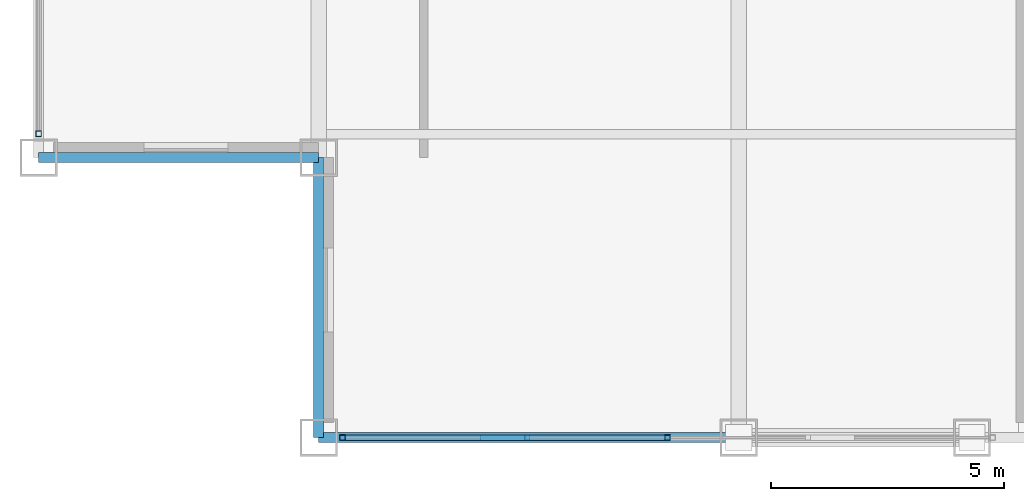
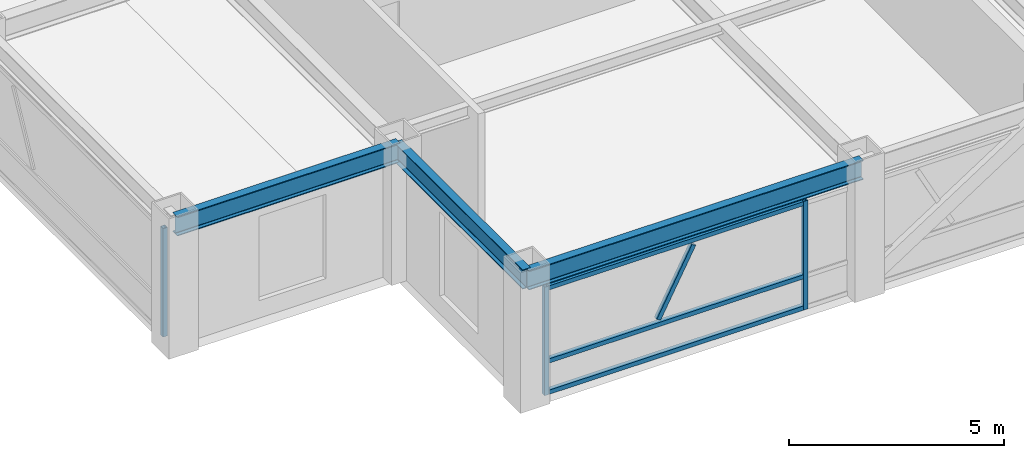
# One storey, part 2 of 29: 7 members, 3 beams, 2 elements without a shape of their own.
"""IFC4 building model written with IfcOpenShell, lengths in metres."""

import ifcopenshell
import ifcopenshell.guid

model = None  # the IFC model being written
_history = None  # IfcOwnerHistory: only IFC2X3 demands one
_inside = {}  # id of a spatial element -> (the spatial element, [elements in it])
_under = {}  # id of a project, library or spatial element -> (it, [spatial elements below it])
_declared = {}  # id of a project -> (the project, [libraries it declares])
_typed = {}  # id of a type object -> (the type object, [elements of that type])
_made_of = {}  # id of a material, layer set ... -> (it, [elements and type objects made of it])


def new_model(schema):
    """Start an empty IFC model of exactly this schema.

    Asked for "IFC4X3", IfcOpenShell would pick the latest addendum, in which some entities
    have other attributes; the version numbers below select the first issue.
    IFC2X3 requires an IfcOwnerHistory on every rooted entity: one is made here for all.
    """
    global model, _history
    if schema == "IFC4X3":
        model = ifcopenshell.file(schema_version=(4, 3, 0, 0))
    else:
        model = ifcopenshell.file(schema=schema)
    _inside.clear()
    _under.clear()
    _declared.clear()
    _typed.clear()
    _made_of.clear()
    _history = None
    if model.schema == "IFC2X3":
        org = make("IfcOrganization", Name="unknown")
        user = make(
            "IfcPersonAndOrganization",
            ThePerson=make("IfcPerson", FamilyName="unknown"),
            TheOrganization=org,
        )
        app = make(
            "IfcApplication",
            ApplicationDeveloper=org,
            Version="unknown",
            ApplicationFullName="unknown",
            ApplicationIdentifier="unknown",
        )
        _history = make(
            "IfcOwnerHistory",
            OwningUser=user,
            OwningApplication=app,
            ChangeAction="ADDED",
            CreationDate=0,
        )
    return model


def make(cls, **values):
    """One entity of the class cls with the attributes given. An attribute that is None is left unset."""
    return model.create_entity(
        cls, **{name: value for name, value in values.items() if value is not None}
    )


def rooted(cls, **values):
    """An entity with a GlobalId (a new one), such as an element, a storey or a relation."""
    return make(cls, GlobalId=ifcopenshell.guid.new(), OwnerHistory=_history, **values)


def si_unit(unit_type, name, prefix=None):
    """IfcSIUnit, for example si_unit("LENGTHUNIT", "METRE", prefix="MILLI")."""
    return make("IfcSIUnit", UnitType=unit_type, Prefix=prefix, Name=name)


def assignment(units):
    """IfcUnitAssignment: the units of a project."""
    return None if units is None else make("IfcUnitAssignment", Units=units)


def point(xyz):
    """IfcCartesianPoint."""
    return None if xyz is None else make("IfcCartesianPoint", Coordinates=xyz)


def direction(xyz):
    """IfcDirection."""
    return None if xyz is None else make("IfcDirection", DirectionRatios=xyz)


def frame(location, z_axis=None, x_axis=None):
    """IfcAxis2Placement3D, a coordinate frame: its origin and axes. An axis left out is left unset."""
    return make(
        "IfcAxis2Placement3D",
        Location=point(location),
        Axis=direction(z_axis),
        RefDirection=direction(x_axis),
    )


def frame_2d(location, x_axis=None):
    """IfcAxis2Placement2D, a coordinate frame in the plane: its origin and x axis."""
    return make(
        "IfcAxis2Placement2D", Location=point(location), RefDirection=direction(x_axis)
    )


def origin():
    """The frame at (0, 0, 0) with its axes left unset."""
    return frame((0.0, 0.0, 0.0))


def origin_2d():
    """The frame at (0, 0) in the plane with its x axis left unset."""
    return frame_2d((0.0, 0.0))


def place(relative_to, where):
    """IfcLocalPlacement: puts the frame where relative to a parent placement (None: the world)."""
    return make(
        "IfcLocalPlacement", PlacementRelTo=relative_to, RelativePlacement=where
    )


def context(
    kind, dimensions, precision=None, world=None, true_north=None, identifier=None
):
    """IfcGeometricRepresentationContext, for example the 3D "Model" context."""
    return make(
        "IfcGeometricRepresentationContext",
        ContextIdentifier=identifier,
        ContextType=kind,
        CoordinateSpaceDimension=dimensions,
        Precision=precision,
        WorldCoordinateSystem=world,
        TrueNorth=true_north,
    )


def subcontext(parent, identifier, kind, view, scale=None):
    """IfcGeometricRepresentationSubContext, for example "Body" below "Model"."""
    return make(
        "IfcGeometricRepresentationSubContext",
        ContextIdentifier=identifier,
        ContextType=kind,
        ParentContext=parent,
        TargetScale=scale,
        TargetView=view,
    )


def project(units=None, contexts=None):
    """IfcProject with its units and contexts."""
    return rooted(
        "IfcProject",
        Name="project",
        RepresentationContexts=contexts,
        UnitsInContext=assignment(units),
    )


def spatial(cls, under=None, at=None, **own):
    """A site, building, storey or space (cls), placed at a placement, below another one or the project."""
    s = rooted(cls, ObjectPlacement=at, **own)
    if under is not None:
        _under.setdefault(under.id(), (under, []))[1].append(s)
    return s


def profile(cls, at=None, kind="AREA", **sizes):
    """A parametric profile (cls). Its sizes go by their IFC names, for example OverallWidth=200.0."""
    return make(cls, ProfileType=kind, Position=at, **sizes)


def hollow_rectangle(**sizes):
    """IfcRectangleHollowProfileDef."""
    return profile("IfcRectangleHollowProfileDef", **sizes)


def i_section(**sizes):
    """IfcIShapeProfileDef."""
    return profile("IfcIShapeProfileDef", **sizes)


def extrude(swept, where, along, depth):
    """IfcExtrudedAreaSolid: the profile swept, set in the frame where, extruded along a direction by depth."""
    return make(
        "IfcExtrudedAreaSolid",
        SweptArea=swept,
        Position=where,
        ExtrudedDirection=direction(along),
        Depth=depth,
    )


def shape(context_of_items, identifier, shape_type, items):
    """IfcShapeRepresentation: the items that make up one representation, for example the "Body"."""
    return make(
        "IfcShapeRepresentation",
        ContextOfItems=context_of_items,
        RepresentationIdentifier=identifier,
        RepresentationType=shape_type,
        Items=items,
    )


def source(mapping_origin, context_of_items, identifier, shape_type, items):
    """IfcRepresentationMap: a shape defined once, which mapped items show again and again."""
    return make(
        "IfcRepresentationMap",
        MappingOrigin=mapping_origin,
        MappedRepresentation=shape(context_of_items, identifier, shape_type, items),
    )


def transform(
    local_origin,
    x_axis=None,
    y_axis=None,
    z_axis=None,
    scale=None,
    scale2=None,
    scale3=None,
    uniform=True,
):
    """IfcCartesianTransformationOperator3D, or its non-uniform kind. x_axis, y_axis, z_axis: its Axis1, 2, 3."""
    if uniform:
        return make(
            "IfcCartesianTransformationOperator3D",
            Axis1=direction(x_axis),
            Axis2=direction(y_axis),
            LocalOrigin=point(local_origin),
            Scale=scale,
            Axis3=direction(z_axis),
        )
    return make(
        "IfcCartesianTransformationOperator3DnonUniform",
        Axis1=direction(x_axis),
        Axis2=direction(y_axis),
        LocalOrigin=point(local_origin),
        Scale=scale,
        Axis3=direction(z_axis),
        Scale2=scale2,
        Scale3=scale3,
    )


def mapped(mapping_source, mapping_target):
    """IfcMappedItem: shows the shape of a source again, moved by a transform."""
    return make(
        "IfcMappedItem", MappingSource=mapping_source, MappingTarget=mapping_target
    )


def material(Name=None, Category=None):
    """IfcMaterial."""
    return make("IfcMaterial", Name=Name, Category=Category)


def material_profile(
    of_material, cross_section, Name=None, Category=None, Priority=None
):
    """IfcMaterialProfile: a cross section and its material."""
    return make(
        "IfcMaterialProfile",
        Name=Name,
        Material=of_material,
        Profile=cross_section,
        Priority=Priority,
        Category=Category,
    )


def profile_set(profiles, Name=None, composite=None):
    """IfcMaterialProfileSet."""
    return make(
        "IfcMaterialProfileSet",
        Name=Name,
        MaterialProfiles=profiles,
        CompositeProfile=composite,
    )


def made_of(thing, what):
    """Note that an element or type object is made of a material, layer set ...; save() writes the relation."""
    if what is not None:
        _made_of.setdefault(what.id(), (what, []))[1].append(thing)
    return thing


def type_object(cls, material=None, **own):
    """A type object (cls), such as IfcWallType, which elements share."""
    return made_of(rooted(cls, **own), material)


def element(
    cls,
    number,
    at=None,
    inside=None,
    cuts=None,
    type_object=None,
    material=None,
    context=None,
    identifier="Body",
    shape_type=None,
    held_by="IfcProductDefinitionShape",
    body=None,
    shapes=None,
    **own,
):
    """One element of the class cls, such as IfcWall. Its Tag is "e" and its number.

    at: its placement. inside: the storey or other place that contains it. cuts: it is an
    opening in that element (IfcRelVoidsElement). A single representation is given by context,
    identifier, shape_type and body (its items); several are given by shapes. held_by: the class
    of the entity that holds the representations. save() writes the other relations.
    """
    e = rooted(cls, Tag="e%d" % number, ObjectPlacement=at, **own)
    if body is not None:
        shapes = [shape(context, identifier, shape_type, body)]
    if shapes is not None:
        e.Representation = make(held_by, Representations=shapes)
    if inside is not None:
        _inside.setdefault(inside.id(), (inside, []))[1].append(e)
    if cuts is not None:
        rooted(
            "IfcRelVoidsElement", RelatingBuildingElement=cuts, RelatedOpeningElement=e
        )
    if type_object is not None:
        _typed.setdefault(type_object.id(), (type_object, []))[1].append(e)
    return made_of(e, material)


def aggregate(whole, parts):
    """IfcRelAggregates: a whole, such as a stair, and the parts it consists of."""
    return rooted("IfcRelAggregates", RelatingObject=whole, RelatedObjects=parts)


def save(model, path):
    """Write the relations noted so far, then the file.

    IfcRelAggregates (storeys below a building ...), IfcRelContainedInSpatialStructure (elements
    in a storey), IfcRelDefinesByType, IfcRelAssociatesMaterial and IfcRelDeclares: one each for
    every whole, place, type object, material and project.
    """
    for whole, parts in _under.values():
        aggregate(whole, parts)
    for where, things in _inside.values():
        rooted(
            "IfcRelContainedInSpatialStructure",
            RelatedElements=things,
            RelatingStructure=where,
        )
    for kind, things in _typed.values():
        rooted("IfcRelDefinesByType", RelatedObjects=things, RelatingType=kind)
    for what, things in _made_of.values():
        rooted("IfcRelAssociatesMaterial", RelatedObjects=things, RelatingMaterial=what)
    for by, libraries in _declared.values():
        rooted("IfcRelDeclares", RelatingContext=by, RelatedDefinitions=libraries)
    model.write(path)


model = new_model("IFC4")

# Units and contexts
model_context = context("Model", 3, precision=1e-05, world=origin(), true_north=direction((0.0, 1.0)))
body_context = subcontext(model_context, "Body", "Model", "MODEL_VIEW")
ifc_project = project(units=[si_unit("LENGTHUNIT", "METRE"), si_unit("AREAUNIT", "SQUARE_METRE"), si_unit("VOLUMEUNIT", "CUBIC_METRE"), si_unit("PLANEANGLEUNIT", "RADIAN"), si_unit("MASSUNIT", "GRAM", prefix="KILO")], contexts=[model_context])

# Site, building, storey
site_placement = place(None, origin())
site = spatial("IfcSite", under=ifc_project, at=site_placement, CompositionType="ELEMENT")
building_placement = place(site_placement, origin())
building = spatial("IfcBuilding", under=site, at=building_placement, Name="Khorayat Bourse Tower", CompositionType="ELEMENT")
storey_placement = place(building_placement, frame((0.0, 0.0, 346.300048828125)))
storey = spatial("IfcBuildingStorey", under=building, at=storey_placement, Name="L82", CompositionType="ELEMENT", Elevation=346.300048828125)

# Beams
ifc_material_1 = material(Name="Steel ASTM A992 Grade 50", Category="steel")
ifc_material_profile_1 = material_profile(ifc_material_1, i_section(OverallWidth=0.214111328125, OverallDepth=0.549072265625, WebThickness=0.0146484375, FlangeThickness=0.023681640625, FilletRadius=0.013916015625, at=origin_2d()), Name="W530X138")
ifc_profile_set_1 = profile_set([ifc_material_profile_1], Name="Steel ASTM A992 Grade 50")
beam_type = type_object("IfcBeamType", Name="BM-SPAN-530", PredefinedType="SPANDREL", material=ifc_profile_set_1)
shared_shape_1 = source(origin(), body_context, "Body", "SweptSolid", [
    extrude(i_section(OverallWidth=0.214111328125, OverallDepth=0.549072265625, WebThickness=0.0146484375, FlangeThickness=0.023681640625, FilletRadius=0.013916015625, at=origin_2d()), origin(), (0.0, 0.0, 1.0), 9.0),
])
beam_placement = place(storey_placement, frame((-20.0, -26.0, 3.46533203125), z_axis=(1.0, 0.0, 0.0), x_axis=(0.0, 1.0, 0.0)))
element("IfcBeam", 1, at=beam_placement, inside=storey, type_object=beam_type, Name="L82 BM-SPAN-530 BM-L82-SPN-021", PredefinedType="SPANDREL", context=body_context, shape_type="MappedRepresentation", body=[
    mapped(shared_shape_1, transform((0.0, 0.0, 0.0), scale=1.0)),
])
shared_shape_2 = source(origin(), body_context, "Body", "SweptSolid", [
    extrude(i_section(OverallWidth=0.214111328125, OverallDepth=0.549072265625, WebThickness=0.0146484375, FlangeThickness=0.023681640625, FilletRadius=0.013916015625, at=origin_2d()), origin(), (0.0, 0.0, 1.0), 6.0),
])
for number, where, z_axis, x_axis, name in (
    (2, (-26.0, -20.0, 3.46533203125), (1.0, 0.0, 0.0), (0.0, 1.0, 0.0), "L82 BM-SPAN-530 BM-L82-SPN-051"),
    (3, (-20.0, -26.0, 3.46533203125), (0.0, 1.0, 0.0), (-1.0, 0.0, 0.0), "L82 BM-SPAN-530 BM-L82-SPN-052"),
):
    element("IfcBeam", number, at=place(storey_placement, frame(where, z_axis=z_axis, x_axis=x_axis)), inside=storey, type_object=beam_type, Name=name, PredefinedType="SPANDREL", context=body_context, shape_type="MappedRepresentation", body=[
        mapped(shared_shape_2, transform((0.0, 0.0, 0.0), scale=1.0)),
    ])

# Curtain wall, members
ifc_material_2 = material(Name="Aluminium EN AW-6063 T6", Category="aluminium")
curtain_wall_type = type_object("IfcCurtainWallType", Name="CW-SYS-06", PredefinedType="NOTDEFINED", material=ifc_material_2)
curtain_wall_1_placement = place(storey_placement, origin())
curtain_wall_1 = element("IfcCurtainWall", 4, at=curtain_wall_1_placement, inside=storey, type_object=curtain_wall_type, Name="L82 Curtain Wall CW-L82-S1", PredefinedType="NOTDEFINED")
ifc_material_profile_2 = material_profile(ifc_material_2, hollow_rectangle(XDim=0.1201171875, YDim=0.1201171875, WallThickness=0.0048828125, at=origin_2d()), Name="ALU 120x120x5")
ifc_profile_set_2 = profile_set([ifc_material_profile_2], Name="Aluminium EN AW-6063 T6")
member_type_1 = type_object("IfcMemberType", Name="CWM-VERT-120", PredefinedType="MULLION", material=ifc_profile_set_2)
shared_shape_3 = source(origin(), body_context, "Body", "SweptSolid", [
    extrude(hollow_rectangle(XDim=0.1201171875, YDim=0.1201171875, WallThickness=0.0048828125, at=origin_2d()), origin(), (0.0, 0.0, 1.0), 3.08984375),
])
member_1_placement = place(storey_placement, frame((-19.489990234375, -26.0, 0.0), z_axis=(0.0, 0.0, 1.0), x_axis=(0.0, 1.0, 0.0)))
member_1 = element("IfcMember", 5, at=member_1_placement, type_object=member_type_1, Name="CW-L82-S1 Vertical Mullion 1", PredefinedType="MULLION", context=body_context, shape_type="MappedRepresentation", body=[
    mapped(shared_shape_3, transform((0.0, 0.0, 0.0), scale=1.0)),
])
member_2_placement = place(storey_placement, frame((-12.52490234375, -26.0, 0.0), z_axis=(0.0, 0.0, 1.0), x_axis=(0.0, 1.0, 0.0)))
member_2 = element("IfcMember", 6, at=member_2_placement, type_object=member_type_1, Name="CW-L82-S1 Vertical Mullion 2", PredefinedType="MULLION", context=body_context, shape_type="MappedRepresentation", body=[
    mapped(shared_shape_3, transform((0.0, 0.0, 0.0), scale=1.0)),
])

# Curtain wall, member
curtain_wall_2_placement = place(storey_placement, origin())
curtain_wall_2 = element("IfcCurtainWall", 7, at=curtain_wall_2_placement, inside=storey, type_object=curtain_wall_type, Name="L82 Curtain Wall CW-L82-W1", PredefinedType="NOTDEFINED")
member_3_placement = place(storey_placement, frame((-26.0, -19.489990234375, 0.0), z_axis=(0.0, 0.0, 1.0), x_axis=(1.0, 0.0, 0.0)))
member_3 = element("IfcMember", 8, at=member_3_placement, type_object=member_type_1, Name="CW-L82-W1 Vertical Mullion 4", PredefinedType="MULLION", context=body_context, shape_type="MappedRepresentation", body=[
    mapped(shared_shape_3, transform((0.0, 0.0, 0.0), scale=1.0)),
])
aggregate(curtain_wall_2, [member_3])

# Member
ifc_material_profile_3 = material_profile(ifc_material_2, hollow_rectangle(XDim=0.1201171875, YDim=0.1201171875, WallThickness=0.0048828125, at=origin_2d()), Name="ALU 120x120x5")
ifc_profile_set_3 = profile_set([ifc_material_profile_3], Name="Aluminium EN AW-6063 T6")
member_type_2 = type_object("IfcMemberType", Name="CWM-DIAG-120", PredefinedType="MULLION", material=ifc_profile_set_3)
shared_shape_4 = source(origin(), body_context, "Body", "SweptSolid", [
    extrude(hollow_rectangle(XDim=0.1201171875, YDim=0.1201171875, WallThickness=0.0048828125, at=origin_2d()), origin(), (0.0, 0.0, 1.0), 2.0341796875),
])
member_4_placement = place(storey_placement, frame((-16.481201171875, -26.0, 1.08984375), z_axis=(0.465696964104, 0.0, 0.884944256789), x_axis=(0.0, 1.0, 0.0)))
member_4 = element("IfcMember", 9, at=member_4_placement, type_object=member_type_2, Name="CW-L82-S1 Faceted Diagonal Mullion 1", PredefinedType="MULLION", context=body_context, shape_type="MappedRepresentation", body=[
    mapped(shared_shape_4, transform((0.0, 0.0, 0.0), scale=1.0)),
])

ifc_material_profile_4 = material_profile(ifc_material_2, hollow_rectangle(XDim=0.1201171875, YDim=0.1201171875, WallThickness=0.0048828125, at=origin_2d()), Name="ALU 120x120x5")
ifc_profile_set_4 = profile_set([ifc_material_profile_4], Name="Aluminium EN AW-6063 T6")
member_type_3 = type_object("IfcMemberType", Name="CWT-HORZ-120", PredefinedType="USERDEFINED", material=ifc_profile_set_4)
shared_shape_5 = source(origin(), body_context, "Body", "SweptSolid", [
    extrude(hollow_rectangle(XDim=0.1201171875, YDim=0.1201171875, WallThickness=0.0048828125, at=origin_2d()), origin(), (0.0, 0.0, 1.0), 6.844970703125),
])
member_5_placement = place(storey_placement, frame((-19.429931640625, -26.0, 0.06005859375), z_axis=(1.0, 0.0, 0.0), x_axis=(0.0, 1.0, 0.0)))
member_5 = element("IfcMember", 10, at=member_5_placement, type_object=member_type_3, Name="CW-L82-S1 Horizontal Transom 1-1", ObjectType="TRANSOM", PredefinedType="USERDEFINED", context=body_context, shape_type="MappedRepresentation", body=[
    mapped(shared_shape_5, transform((0.0, 0.0, 0.0), scale=1.0)),
])

member_6_placement = place(storey_placement, frame((-19.429931640625, -26.0, 0.949951171875), z_axis=(1.0, 0.0, 0.0), x_axis=(0.0, 1.0, 0.0)))
member_6 = element("IfcMember", 11, at=member_6_placement, type_object=member_type_3, Name="CW-L82-S1 Horizontal Transom 1-2", ObjectType="TRANSOM", PredefinedType="USERDEFINED", context=body_context, shape_type="MappedRepresentation", body=[
    mapped(shared_shape_5, transform((0.0, 0.0, 0.0), scale=1.0)),
])

member_7_placement = place(storey_placement, frame((-19.429931640625, -26.0, 3.030029296875), z_axis=(1.0, 0.0, 0.0), x_axis=(0.0, 1.0, 0.0)))
member_7 = element("IfcMember", 12, at=member_7_placement, type_object=member_type_3, Name="CW-L82-S1 Horizontal Transom 1-3", ObjectType="TRANSOM", PredefinedType="USERDEFINED", context=body_context, shape_type="MappedRepresentation", body=[
    mapped(shared_shape_5, transform((0.0, 0.0, 0.0), scale=1.0)),
])

aggregate(curtain_wall_1, [member_1, member_2, member_5, member_6, member_7, member_4])

save(model, "model.ifc")
